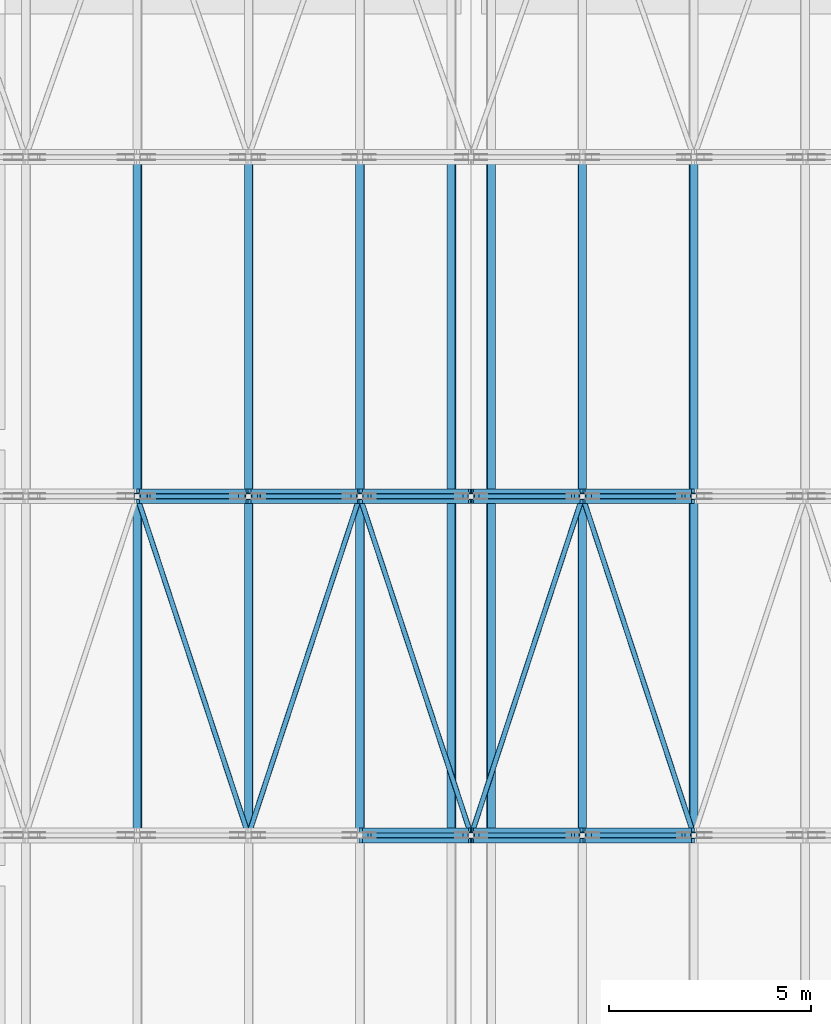
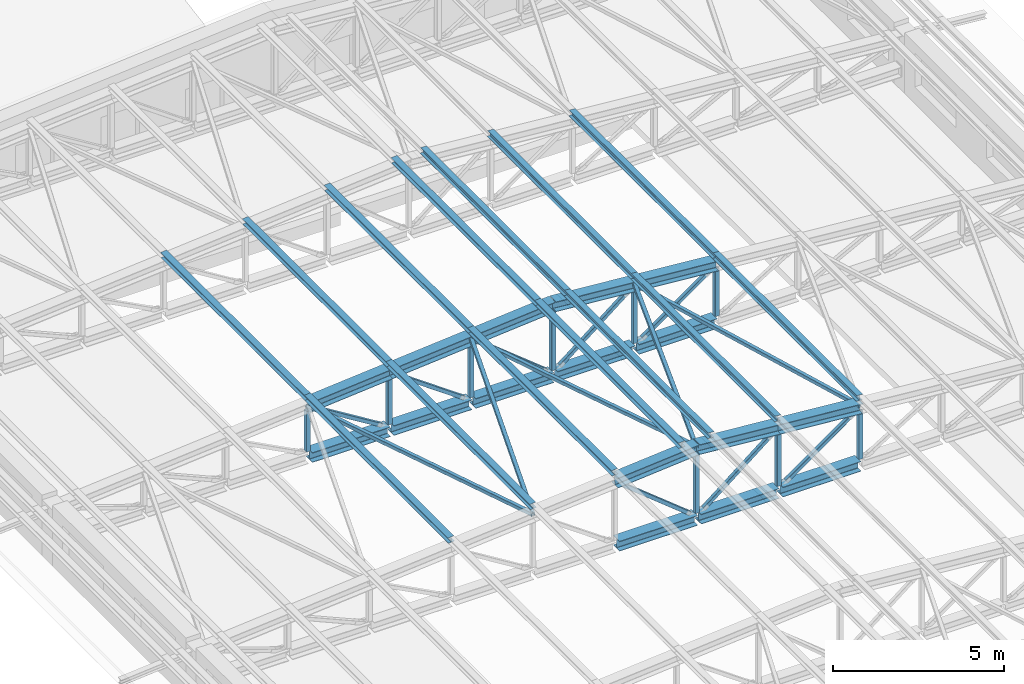
# One storey, part 13 of 60: 52 members.
"""IFC4 building model written with IfcOpenShell, lengths in metres."""

from ifc_helpers import new_model, si_unit, direction, frame, origin, origin_2d, place, context, subcontext, project, spatial, hollow_rectangle, i_section, extrude, material, material_profile, profile_set, type_object, element, save


model = new_model("IFC4")

# Units and contexts
model_context = context("Model", 3, precision=1e-05, world=origin(), true_north=direction((0.0, 1.0)))
body_context = subcontext(model_context, "Body", "Model", "MODEL_VIEW")
ifc_project = project(units=[si_unit("LENGTHUNIT", "METRE"), si_unit("AREAUNIT", "SQUARE_METRE"), si_unit("VOLUMEUNIT", "CUBIC_METRE"), si_unit("PLANEANGLEUNIT", "RADIAN"), si_unit("MASSUNIT", "GRAM", prefix="KILO")], contexts=[model_context])

# Site, building, storey
site_placement = place(None, origin())
site = spatial("IfcSite", under=ifc_project, at=site_placement, CompositionType="ELEMENT")
building_placement = place(site_placement, origin())
building = spatial("IfcBuilding", under=site, at=building_placement, Name="Ljudholm Concert House", CompositionType="ELEMENT")
storey_placement = place(building_placement, frame((0.0, 0.0, 15.0)))
storey = spatial("IfcBuildingStorey", under=building, at=storey_placement, Name="L03", CompositionType="ELEMENT", Elevation=15.0)

# Members
ifc_material_1 = material(Name="Steel ASTM A500 Gr. C", Category="steel")
ifc_material_profile_1 = material_profile(ifc_material_1, hollow_rectangle(XDim=0.126953125, YDim=0.126953125, WallThickness=0.00732421875, InnerFilletRadius=0.003662109375, OuterFilletRadius=0.010986328125, at=origin_2d()), Name="HSS5X5X5/16")
ifc_profile_set_1 = profile_set([ifc_material_profile_1], Name="Steel ASTM A500 Gr. C")
member_type_1 = type_object("IfcMemberType", Name="STEEL MEMBER HSS5X5X5/16 BRACE", PredefinedType="BRACE", material=ifc_profile_set_1)
member_1_placement = place(storey_placement, frame((26.68115234375, 20.800048828125, 2.753662109375), z_axis=(0.780371115446, 0.0, -0.625316657525), x_axis=(0.0, 1.0, 0.0)))
element("IfcMember", 1, at=member_1_placement, inside=storey, type_object=member_type_1, Name="Roof truss T3 diagonal", PredefinedType="BRACE", context=body_context, shape_type="SweptSolid", body=[
    extrude(hollow_rectangle(XDim=0.126953125, YDim=0.126953125, WallThickness=0.00732421875, InnerFilletRadius=0.003662109375, OuterFilletRadius=0.010986328125, at=origin_2d()), origin(), (0.0, 0.0, 1.0), 2.9208984375),
])
member_2_placement = place(storey_placement, frame((29.439697265625, 20.800048828125, 0.92724609375), z_axis=(0.780338427861, 0.0, 0.625357448187), x_axis=(0.0, 1.0, 0.0)))
element("IfcMember", 2, at=member_2_placement, inside=storey, type_object=member_type_1, Name="Roof truss T3 diagonal", PredefinedType="BRACE", context=body_context, shape_type="SweptSolid", body=[
    extrude(hollow_rectangle(XDim=0.126953125, YDim=0.126953125, WallThickness=0.00732421875, InnerFilletRadius=0.003662109375, OuterFilletRadius=0.010986328125, at=origin_2d()), origin(), (0.0, 0.0, 1.0), 2.920654296875),
])
member_3_placement = place(storey_placement, frame((32.21728515625, 20.800048828125, 0.9296875), z_axis=(0.815662734234, 0.0, 0.57852770373), x_axis=(0.0, 1.0, 0.0)))
element("IfcMember", 3, at=member_3_placement, inside=storey, type_object=member_type_1, Name="Roof truss T3 diagonal", PredefinedType="BRACE", context=body_context, shape_type="SweptSolid", body=[
    extrude(hollow_rectangle(XDim=0.126953125, YDim=0.126953125, WallThickness=0.00732421875, InnerFilletRadius=0.003662109375, OuterFilletRadius=0.010986328125, at=origin_2d()), origin(), (0.0, 0.0, 1.0), 2.746826171875),
])
member_4_placement = place(storey_placement, frame((21.20947265625, 29.199951171875, 2.2841796875), z_axis=(0.850800492384, 0.0, -0.525488841137), x_axis=(0.0, 1.0, 0.0)))
element("IfcMember", 4, at=member_4_placement, inside=storey, type_object=member_type_1, Name="Roof truss T4 diagonal", PredefinedType="BRACE", context=body_context, shape_type="SweptSolid", body=[
    extrude(hollow_rectangle(XDim=0.126953125, YDim=0.126953125, WallThickness=0.00732421875, InnerFilletRadius=0.003662109375, OuterFilletRadius=0.010986328125, at=origin_2d()), origin(), (0.0, 0.0, 1.0), 2.573486328125),
])
member_5_placement = place(storey_placement, frame((23.9423828125, 29.199951171875, 2.518798828125), z_axis=(0.815632982968, 0.0, -0.578569647574), x_axis=(0.0, 1.0, 0.0)))
element("IfcMember", 5, at=member_5_placement, inside=storey, type_object=member_type_1, Name="Roof truss T4 diagonal", PredefinedType="BRACE", context=body_context, shape_type="SweptSolid", body=[
    extrude(hollow_rectangle(XDim=0.126953125, YDim=0.126953125, WallThickness=0.00732421875, InnerFilletRadius=0.003662109375, OuterFilletRadius=0.010986328125, at=origin_2d()), origin(), (0.0, 0.0, 1.0), 2.74658203125),
])
member_6_placement = place(storey_placement, frame((26.68115234375, 29.199951171875, 2.753662109375), z_axis=(0.780371115446, 0.0, -0.625316657525), x_axis=(0.0, 1.0, 0.0)))
element("IfcMember", 6, at=member_6_placement, inside=storey, type_object=member_type_1, Name="Roof truss T4 diagonal", PredefinedType="BRACE", context=body_context, shape_type="SweptSolid", body=[
    extrude(hollow_rectangle(XDim=0.126953125, YDim=0.126953125, WallThickness=0.00732421875, InnerFilletRadius=0.003662109375, OuterFilletRadius=0.010986328125, at=origin_2d()), origin(), (0.0, 0.0, 1.0), 2.9208984375),
])
member_7_placement = place(storey_placement, frame((29.439697265625, 29.199951171875, 0.92724609375), z_axis=(0.780338427861, 0.0, 0.625357448187), x_axis=(0.0, 1.0, 0.0)))
element("IfcMember", 7, at=member_7_placement, inside=storey, type_object=member_type_1, Name="Roof truss T4 diagonal", PredefinedType="BRACE", context=body_context, shape_type="SweptSolid", body=[
    extrude(hollow_rectangle(XDim=0.126953125, YDim=0.126953125, WallThickness=0.00732421875, InnerFilletRadius=0.003662109375, OuterFilletRadius=0.010986328125, at=origin_2d()), origin(), (0.0, 0.0, 1.0), 2.920654296875),
])
member_8_placement = place(storey_placement, frame((32.21728515625, 29.199951171875, 0.9296875), z_axis=(0.815662734234, 0.0, 0.57852770373), x_axis=(0.0, 1.0, 0.0)))
element("IfcMember", 8, at=member_8_placement, inside=storey, type_object=member_type_1, Name="Roof truss T4 diagonal", PredefinedType="BRACE", context=body_context, shape_type="SweptSolid", body=[
    extrude(hollow_rectangle(XDim=0.126953125, YDim=0.126953125, WallThickness=0.00732421875, InnerFilletRadius=0.003662109375, OuterFilletRadius=0.010986328125, at=origin_2d()), origin(), (0.0, 0.0, 1.0), 2.746826171875),
])
for number, where, z_axis, x_axis, name in (
    (9, (20.925048828125, 29.1943359375, 2.5), (0.312250989542, -0.949632147342, 0.026421662772), (0.94996379212, 0.312360038515, 0.0), "Roof bracing"),
    (10, (23.683349609375, 20.8056640625, 2.7333984375), (0.31225121744, 0.949632840435, 0.026394044314), (-0.94996379212, 0.312360038515, 0.0), "Roof bracing"),
    (11, (26.441650390625, 29.1943359375, 2.966552734375), (0.312250989542, -0.949632147342, 0.026421662772), (0.94996379212, 0.312360038515, 0.0), "Roof bracing"),
    (12, (29.199951171875, 20.8056640625, 3.199951171875), (0.312250989542, 0.949632147342, -0.026421662772), (-0.94996379212, 0.312360038515, 0.0), "Roof bracing"),
    (13, (31.958251953125, 29.1943359375, 2.966552734375), (0.31225121744, -0.949632840435, -0.026394044314), (0.94996379212, 0.312360038515, 0.0), "Roof bracing"),
):
    element("IfcMember", number, at=place(storey_placement, frame(where, z_axis=z_axis, x_axis=x_axis)), inside=storey, type_object=member_type_1, Name=name, PredefinedType="BRACE", context=body_context, shape_type="SweptSolid", body=[
        extrude(hollow_rectangle(XDim=0.126953125, YDim=0.126953125, WallThickness=0.00732421875, InnerFilletRadius=0.003662109375, OuterFilletRadius=0.010986328125, at=origin_2d()), origin(), (0.0, 0.0, 1.0), 8.83349609375),
    ])
ifc_material_2 = material(Name="Steel ASTM A500 Gr. C", Category="steel")
ifc_material_profile_2 = material_profile(ifc_material_2, hollow_rectangle(XDim=0.15234375, YDim=0.15234375, WallThickness=0.0087890625, InnerFilletRadius=0.00439453125, OuterFilletRadius=0.01318359375, at=origin_2d()), Name="HSS6X6X3/8")
ifc_profile_set_2 = profile_set([ifc_material_profile_2], Name="Steel ASTM A500 Gr. C")
member_type_2 = type_object("IfcMemberType", Name="STEEL MEMBER HSS6X6X3/8 POST", PredefinedType="POST", material=ifc_profile_set_2)
member_9_placement = place(storey_placement, frame((29.199951171875, 20.800048828125, 0.877685546875), z_axis=(0.0, 0.0, 1.0), x_axis=(1.0, 0.0, 0.0)))
element("IfcMember", 14, at=member_9_placement, inside=storey, type_object=member_type_2, Name="Roof truss T3 post", PredefinedType="POST", context=body_context, shape_type="SweptSolid", body=[
    extrude(hollow_rectangle(XDim=0.15234375, YDim=0.15234375, WallThickness=0.0087890625, InnerFilletRadius=0.00439453125, OuterFilletRadius=0.01318359375, at=origin_2d()), origin(), (0.0, 0.0, 1.0), 2.143798828125),
])
member_10_placement = place(storey_placement, frame((31.958251953125, 20.800048828125, 0.877685546875), z_axis=(0.0, 0.0, 1.0), x_axis=(1.0, 0.0, 0.0)))
element("IfcMember", 15, at=member_10_placement, inside=storey, type_object=member_type_2, Name="Roof truss T3 post", PredefinedType="POST", context=body_context, shape_type="SweptSolid", body=[
    extrude(hollow_rectangle(XDim=0.15234375, YDim=0.15234375, WallThickness=0.0087890625, InnerFilletRadius=0.00439453125, OuterFilletRadius=0.01318359375, at=origin_2d()), origin(), (0.0, 0.0, 1.0), 1.91064453125),
])
member_11_placement = place(storey_placement, frame((34.716552734375, 20.800048828125, 0.877685546875), z_axis=(0.0, 0.0, 1.0), x_axis=(1.0, 0.0, 0.0)))
element("IfcMember", 16, at=member_11_placement, inside=storey, type_object=member_type_2, Name="Roof truss T3 post", PredefinedType="POST", context=body_context, shape_type="SweptSolid", body=[
    extrude(hollow_rectangle(XDim=0.15234375, YDim=0.15234375, WallThickness=0.0087890625, InnerFilletRadius=0.00439453125, OuterFilletRadius=0.01318359375, at=origin_2d()), origin(), (0.0, 0.0, 1.0), 1.67724609375),
])
member_12_placement = place(storey_placement, frame((20.925048828125, 29.199951171875, 0.877685546875), z_axis=(0.0, 0.0, 1.0), x_axis=(1.0, 0.0, 0.0)))
element("IfcMember", 17, at=member_12_placement, inside=storey, type_object=member_type_2, Name="Roof truss T4 post", PredefinedType="POST", context=body_context, shape_type="SweptSolid", body=[
    extrude(hollow_rectangle(XDim=0.15234375, YDim=0.15234375, WallThickness=0.0087890625, InnerFilletRadius=0.00439453125, OuterFilletRadius=0.01318359375, at=origin_2d()), origin(), (0.0, 0.0, 1.0), 1.44384765625),
])
member_13_placement = place(storey_placement, frame((23.683349609375, 29.199951171875, 0.877685546875), z_axis=(0.0, 0.0, 1.0), x_axis=(1.0, 0.0, 0.0)))
element("IfcMember", 18, at=member_13_placement, inside=storey, type_object=member_type_2, Name="Roof truss T4 post", PredefinedType="POST", context=body_context, shape_type="SweptSolid", body=[
    extrude(hollow_rectangle(XDim=0.15234375, YDim=0.15234375, WallThickness=0.0087890625, InnerFilletRadius=0.00439453125, OuterFilletRadius=0.01318359375, at=origin_2d()), origin(), (0.0, 0.0, 1.0), 1.67724609375),
])
member_14_placement = place(storey_placement, frame((26.441650390625, 29.199951171875, 0.877685546875), z_axis=(0.0, 0.0, 1.0), x_axis=(1.0, 0.0, 0.0)))
element("IfcMember", 19, at=member_14_placement, inside=storey, type_object=member_type_2, Name="Roof truss T4 post", PredefinedType="POST", context=body_context, shape_type="SweptSolid", body=[
    extrude(hollow_rectangle(XDim=0.15234375, YDim=0.15234375, WallThickness=0.0087890625, InnerFilletRadius=0.00439453125, OuterFilletRadius=0.01318359375, at=origin_2d()), origin(), (0.0, 0.0, 1.0), 1.91064453125),
])
member_15_placement = place(storey_placement, frame((29.199951171875, 29.199951171875, 0.877685546875), z_axis=(0.0, 0.0, 1.0), x_axis=(1.0, 0.0, 0.0)))
element("IfcMember", 20, at=member_15_placement, inside=storey, type_object=member_type_2, Name="Roof truss T4 post", PredefinedType="POST", context=body_context, shape_type="SweptSolid", body=[
    extrude(hollow_rectangle(XDim=0.15234375, YDim=0.15234375, WallThickness=0.0087890625, InnerFilletRadius=0.00439453125, OuterFilletRadius=0.01318359375, at=origin_2d()), origin(), (0.0, 0.0, 1.0), 2.143798828125),
])
member_16_placement = place(storey_placement, frame((31.958251953125, 29.199951171875, 0.877685546875), z_axis=(0.0, 0.0, 1.0), x_axis=(1.0, 0.0, 0.0)))
element("IfcMember", 21, at=member_16_placement, inside=storey, type_object=member_type_2, Name="Roof truss T4 post", PredefinedType="POST", context=body_context, shape_type="SweptSolid", body=[
    extrude(hollow_rectangle(XDim=0.15234375, YDim=0.15234375, WallThickness=0.0087890625, InnerFilletRadius=0.00439453125, OuterFilletRadius=0.01318359375, at=origin_2d()), origin(), (0.0, 0.0, 1.0), 1.91064453125),
])
member_17_placement = place(storey_placement, frame((34.716552734375, 29.199951171875, 0.877685546875), z_axis=(0.0, 0.0, 1.0), x_axis=(1.0, 0.0, 0.0)))
element("IfcMember", 22, at=member_17_placement, inside=storey, type_object=member_type_2, Name="Roof truss T4 post", PredefinedType="POST", context=body_context, shape_type="SweptSolid", body=[
    extrude(hollow_rectangle(XDim=0.15234375, YDim=0.15234375, WallThickness=0.0087890625, InnerFilletRadius=0.00439453125, OuterFilletRadius=0.01318359375, at=origin_2d()), origin(), (0.0, 0.0, 1.0), 1.67724609375),
])
ifc_material_3 = material(Name="Steel ASTM A992", Category="steel")
ifc_material_profile_3 = material_profile(ifc_material_3, i_section(OverallWidth=0.368408203125, OverallDepth=0.355712890625, WebThickness=0.01123046875, FlangeThickness=0.01806640625, FilletRadius=0.01513671875, at=origin_2d()), Name="W14X90")
ifc_profile_set_3 = profile_set([ifc_material_profile_3], Name="Steel ASTM A992")
member_type_3 = type_object("IfcMemberType", Name="STEEL MEMBER W14X90 CHORD", PredefinedType="CHORD", material=ifc_profile_set_3)
member_18_placement = place(storey_placement, frame((26.441650390625, 20.800048828125, 2.966552734375), z_axis=(0.996439113695, 0.0, 0.084315435714), x_axis=(0.0, 1.0, 0.0)))
element("IfcMember", 23, at=member_18_placement, inside=storey, type_object=member_type_3, Name="Roof truss T3 top chord", PredefinedType="CHORD", context=body_context, shape_type="SweptSolid", body=[
    extrude(i_section(OverallWidth=0.368408203125, OverallDepth=0.355712890625, WebThickness=0.01123046875, FlangeThickness=0.01806640625, FilletRadius=0.01513671875, at=origin_2d()), origin(), (0.0, 0.0, 1.0), 2.76806640625),
])
member_19_placement = place(storey_placement, frame((26.503662109375, 20.800048828125, 0.699951171875), z_axis=(1.0, 0.0, 0.0), x_axis=(0.0, 1.0, 0.0)))
element("IfcMember", 24, at=member_19_placement, inside=storey, type_object=member_type_3, Name="Roof truss T3 bottom chord", PredefinedType="CHORD", context=body_context, shape_type="SweptSolid", body=[
    extrude(i_section(OverallWidth=0.368408203125, OverallDepth=0.355712890625, WebThickness=0.01123046875, FlangeThickness=0.01806640625, FilletRadius=0.01513671875, at=origin_2d()), origin(), (0.0, 0.0, 1.0), 2.63427734375),
])
member_20_placement = place(storey_placement, frame((29.199951171875, 20.800048828125, 3.199951171875), z_axis=(0.996439113695, 0.0, -0.084315435714), x_axis=(0.0, 1.0, 0.0)))
element("IfcMember", 25, at=member_20_placement, inside=storey, type_object=member_type_3, Name="Roof truss T3 top chord", PredefinedType="CHORD", context=body_context, shape_type="SweptSolid", body=[
    extrude(i_section(OverallWidth=0.368408203125, OverallDepth=0.355712890625, WebThickness=0.01123046875, FlangeThickness=0.01806640625, FilletRadius=0.01513671875, at=origin_2d()), origin(), (0.0, 0.0, 1.0), 2.76806640625),
])
member_21_placement = place(storey_placement, frame((29.261962890625, 20.800048828125, 0.699951171875), z_axis=(1.0, 0.0, 0.0), x_axis=(0.0, 1.0, 0.0)))
element("IfcMember", 26, at=member_21_placement, inside=storey, type_object=member_type_3, Name="Roof truss T3 bottom chord", PredefinedType="CHORD", context=body_context, shape_type="SweptSolid", body=[
    extrude(i_section(OverallWidth=0.368408203125, OverallDepth=0.355712890625, WebThickness=0.01123046875, FlangeThickness=0.01806640625, FilletRadius=0.01513671875, at=origin_2d()), origin(), (0.0, 0.0, 1.0), 2.63427734375),
])
member_22_placement = place(storey_placement, frame((31.958251953125, 20.800048828125, 2.966552734375), z_axis=(0.996446519711, 0.0, -0.084227865669), x_axis=(0.0, 1.0, 0.0)))
element("IfcMember", 27, at=member_22_placement, inside=storey, type_object=member_type_3, Name="Roof truss T3 top chord", PredefinedType="CHORD", context=body_context, shape_type="SweptSolid", body=[
    extrude(i_section(OverallWidth=0.368408203125, OverallDepth=0.355712890625, WebThickness=0.01123046875, FlangeThickness=0.01806640625, FilletRadius=0.01513671875, at=origin_2d()), origin(), (0.0, 0.0, 1.0), 2.76806640625),
])
member_23_placement = place(storey_placement, frame((32.020263671875, 20.800048828125, 0.699951171875), z_axis=(1.0, 0.0, 0.0), x_axis=(0.0, 1.0, 0.0)))
element("IfcMember", 28, at=member_23_placement, inside=storey, type_object=member_type_3, Name="Roof truss T3 bottom chord", PredefinedType="CHORD", context=body_context, shape_type="SweptSolid", body=[
    extrude(i_section(OverallWidth=0.368408203125, OverallDepth=0.355712890625, WebThickness=0.01123046875, FlangeThickness=0.01806640625, FilletRadius=0.01513671875, at=origin_2d()), origin(), (0.0, 0.0, 1.0), 2.634521484375),
])
member_24_placement = place(storey_placement, frame((20.925048828125, 29.199951171875, 2.5), z_axis=(0.996439113695, 0.0, 0.084315435714), x_axis=(0.0, 1.0, 0.0)))
element("IfcMember", 29, at=member_24_placement, inside=storey, type_object=member_type_3, Name="Roof truss T4 top chord", PredefinedType="CHORD", context=body_context, shape_type="SweptSolid", body=[
    extrude(i_section(OverallWidth=0.368408203125, OverallDepth=0.355712890625, WebThickness=0.01123046875, FlangeThickness=0.01806640625, FilletRadius=0.01513671875, at=origin_2d()), origin(), (0.0, 0.0, 1.0), 2.76806640625),
])
member_25_placement = place(storey_placement, frame((20.987060546875, 29.199951171875, 0.699951171875), z_axis=(1.0, 0.0, 0.0), x_axis=(0.0, 1.0, 0.0)))
element("IfcMember", 30, at=member_25_placement, inside=storey, type_object=member_type_3, Name="Roof truss T4 bottom chord", PredefinedType="CHORD", context=body_context, shape_type="SweptSolid", body=[
    extrude(i_section(OverallWidth=0.368408203125, OverallDepth=0.355712890625, WebThickness=0.01123046875, FlangeThickness=0.01806640625, FilletRadius=0.01513671875, at=origin_2d()), origin(), (0.0, 0.0, 1.0), 2.63427734375),
])
member_26_placement = place(storey_placement, frame((23.683349609375, 29.199951171875, 2.7333984375), z_axis=(0.996446519711, 0.0, 0.084227865669), x_axis=(0.0, 1.0, 0.0)))
element("IfcMember", 31, at=member_26_placement, inside=storey, type_object=member_type_3, Name="Roof truss T4 top chord", PredefinedType="CHORD", context=body_context, shape_type="SweptSolid", body=[
    extrude(i_section(OverallWidth=0.368408203125, OverallDepth=0.355712890625, WebThickness=0.01123046875, FlangeThickness=0.01806640625, FilletRadius=0.01513671875, at=origin_2d()), origin(), (0.0, 0.0, 1.0), 2.76806640625),
])
member_27_placement = place(storey_placement, frame((23.745361328125, 29.199951171875, 0.699951171875), z_axis=(1.0, 0.0, 0.0), x_axis=(0.0, 1.0, 0.0)))
element("IfcMember", 32, at=member_27_placement, inside=storey, type_object=member_type_3, Name="Roof truss T4 bottom chord", PredefinedType="CHORD", context=body_context, shape_type="SweptSolid", body=[
    extrude(i_section(OverallWidth=0.368408203125, OverallDepth=0.355712890625, WebThickness=0.01123046875, FlangeThickness=0.01806640625, FilletRadius=0.01513671875, at=origin_2d()), origin(), (0.0, 0.0, 1.0), 2.63427734375),
])
member_28_placement = place(storey_placement, frame((26.441650390625, 29.199951171875, 2.966552734375), z_axis=(0.996439113695, 0.0, 0.084315435714), x_axis=(0.0, 1.0, 0.0)))
element("IfcMember", 33, at=member_28_placement, inside=storey, type_object=member_type_3, Name="Roof truss T4 top chord", PredefinedType="CHORD", context=body_context, shape_type="SweptSolid", body=[
    extrude(i_section(OverallWidth=0.368408203125, OverallDepth=0.355712890625, WebThickness=0.01123046875, FlangeThickness=0.01806640625, FilletRadius=0.01513671875, at=origin_2d()), origin(), (0.0, 0.0, 1.0), 2.76806640625),
])
member_29_placement = place(storey_placement, frame((26.503662109375, 29.199951171875, 0.699951171875), z_axis=(1.0, 0.0, 0.0), x_axis=(0.0, 1.0, 0.0)))
element("IfcMember", 34, at=member_29_placement, inside=storey, type_object=member_type_3, Name="Roof truss T4 bottom chord", PredefinedType="CHORD", context=body_context, shape_type="SweptSolid", body=[
    extrude(i_section(OverallWidth=0.368408203125, OverallDepth=0.355712890625, WebThickness=0.01123046875, FlangeThickness=0.01806640625, FilletRadius=0.01513671875, at=origin_2d()), origin(), (0.0, 0.0, 1.0), 2.63427734375),
])
member_30_placement = place(storey_placement, frame((29.199951171875, 29.199951171875, 3.199951171875), z_axis=(0.996439113695, 0.0, -0.084315435714), x_axis=(0.0, 1.0, 0.0)))
element("IfcMember", 35, at=member_30_placement, inside=storey, type_object=member_type_3, Name="Roof truss T4 top chord", PredefinedType="CHORD", context=body_context, shape_type="SweptSolid", body=[
    extrude(i_section(OverallWidth=0.368408203125, OverallDepth=0.355712890625, WebThickness=0.01123046875, FlangeThickness=0.01806640625, FilletRadius=0.01513671875, at=origin_2d()), origin(), (0.0, 0.0, 1.0), 2.76806640625),
])
member_31_placement = place(storey_placement, frame((29.261962890625, 29.199951171875, 0.699951171875), z_axis=(1.0, 0.0, 0.0), x_axis=(0.0, 1.0, 0.0)))
element("IfcMember", 36, at=member_31_placement, inside=storey, type_object=member_type_3, Name="Roof truss T4 bottom chord", PredefinedType="CHORD", context=body_context, shape_type="SweptSolid", body=[
    extrude(i_section(OverallWidth=0.368408203125, OverallDepth=0.355712890625, WebThickness=0.01123046875, FlangeThickness=0.01806640625, FilletRadius=0.01513671875, at=origin_2d()), origin(), (0.0, 0.0, 1.0), 2.63427734375),
])
member_32_placement = place(storey_placement, frame((31.958251953125, 29.199951171875, 2.966552734375), z_axis=(0.996446519711, 0.0, -0.084227865669), x_axis=(0.0, 1.0, 0.0)))
element("IfcMember", 37, at=member_32_placement, inside=storey, type_object=member_type_3, Name="Roof truss T4 top chord", PredefinedType="CHORD", context=body_context, shape_type="SweptSolid", body=[
    extrude(i_section(OverallWidth=0.368408203125, OverallDepth=0.355712890625, WebThickness=0.01123046875, FlangeThickness=0.01806640625, FilletRadius=0.01513671875, at=origin_2d()), origin(), (0.0, 0.0, 1.0), 2.76806640625),
])
member_33_placement = place(storey_placement, frame((32.020263671875, 29.199951171875, 0.699951171875), z_axis=(1.0, 0.0, 0.0), x_axis=(0.0, 1.0, 0.0)))
element("IfcMember", 38, at=member_33_placement, inside=storey, type_object=member_type_3, Name="Roof truss T4 bottom chord", PredefinedType="CHORD", context=body_context, shape_type="SweptSolid", body=[
    extrude(i_section(OverallWidth=0.368408203125, OverallDepth=0.355712890625, WebThickness=0.01123046875, FlangeThickness=0.01806640625, FilletRadius=0.01513671875, at=origin_2d()), origin(), (0.0, 0.0, 1.0), 2.634521484375),
])
ifc_material_4 = material(Name="Steel ASTM A992", Category="steel")
ifc_material_profile_4 = material_profile(ifc_material_4, i_section(OverallWidth=0.203125, OverallDepth=0.203125, WebThickness=0.00732421875, FlangeThickness=0.010986328125, FilletRadius=0.010009765625, at=origin_2d()), Name="W8X31")
ifc_profile_set_4 = profile_set([ifc_material_profile_4], Name="Steel ASTM A992")
member_type_4 = type_object("IfcMemberType", Name="STEEL MEMBER W8X31 PURLIN", PredefinedType="PURLIN", material=ifc_profile_set_4)
for number, where, z_axis, x_axis, name in (
    (39, (20.93359375, 20.800048828125, 2.781005859375), (0.0, 1.0, 0.0), (-0.996441172925, 0.0, -0.084291096202), "Purlin"),
    (40, (23.69189453125, 20.800048828125, 3.014404296875), (0.0, 1.0, 0.0), (-0.996441172925, 0.0, -0.084291096202), "Purlin"),
    (41, (26.4501953125, 20.800048828125, 3.247802734375), (0.0, 1.0, 0.0), (-0.996441172925, 0.0, -0.084291096202), "Purlin"),
    (42, (28.70849609375, 20.800048828125, 3.438720703125), (0.0, 1.0, 0.0), (-0.996441172925, 0.0, -0.084291096202), "Purlin"),
    (43, (34.7080078125, 20.800048828125, 3.014404296875), (0.0, 1.0, 0.0), (-0.996441172925, 0.0, 0.084291096202), "Purlin"),
    (44, (31.94970703125, 20.800048828125, 3.247802734375), (0.0, 1.0, 0.0), (-0.996441172925, 0.0, 0.084291096202), "Purlin"),
    (45, (29.69140625, 20.800048828125, 3.438720703125), (0.0, 1.0, 0.0), (-0.996441172925, 0.0, 0.084291096202), "Purlin"),
):
    element("IfcMember", number, at=place(storey_placement, frame(where, z_axis=z_axis, x_axis=x_axis)), inside=storey, type_object=member_type_4, Name=name, PredefinedType="PURLIN", context=body_context, shape_type="SweptSolid", body=[
        extrude(i_section(OverallWidth=0.203125, OverallDepth=0.203125, WebThickness=0.00732421875, FlangeThickness=0.010986328125, FilletRadius=0.010009765625, at=origin_2d()), origin(), (0.0, 0.0, 1.0), 8.39990234375),
    ])
for number, where, z_axis, x_axis, name in (
    (46, (20.93359375, 29.199951171875, 2.781005859375), (0.0, 1.0, 0.0), (-0.996441172925, 0.0, -0.084291096202), "Purlin"),
    (47, (23.69189453125, 29.199951171875, 3.014404296875), (0.0, 1.0, 0.0), (-0.996441172925, 0.0, -0.084291096202), "Purlin"),
    (48, (26.4501953125, 29.199951171875, 3.247802734375), (0.0, 1.0, 0.0), (-0.996441172925, 0.0, -0.084291096202), "Purlin"),
    (49, (28.70849609375, 29.199951171875, 3.438720703125), (0.0, 1.0, 0.0), (-0.996441172925, 0.0, -0.084291096202), "Purlin"),
    (50, (34.7080078125, 29.199951171875, 3.014404296875), (0.0, 1.0, 0.0), (-0.996441172925, 0.0, 0.084291096202), "Purlin"),
    (51, (31.94970703125, 29.199951171875, 3.247802734375), (0.0, 1.0, 0.0), (-0.996441172925, 0.0, 0.084291096202), "Purlin"),
    (52, (29.69140625, 29.199951171875, 3.438720703125), (0.0, 1.0, 0.0), (-0.996441172925, 0.0, 0.084291096202), "Purlin"),
):
    element("IfcMember", number, at=place(storey_placement, frame(where, z_axis=z_axis, x_axis=x_axis)), inside=storey, type_object=member_type_4, Name=name, PredefinedType="PURLIN", context=body_context, shape_type="SweptSolid", body=[
        extrude(i_section(OverallWidth=0.203125, OverallDepth=0.203125, WebThickness=0.00732421875, FlangeThickness=0.010986328125, FilletRadius=0.010009765625, at=origin_2d()), origin(), (0.0, 0.0, 1.0), 8.400146484375),
    ])

save(model, "model.ifc")
